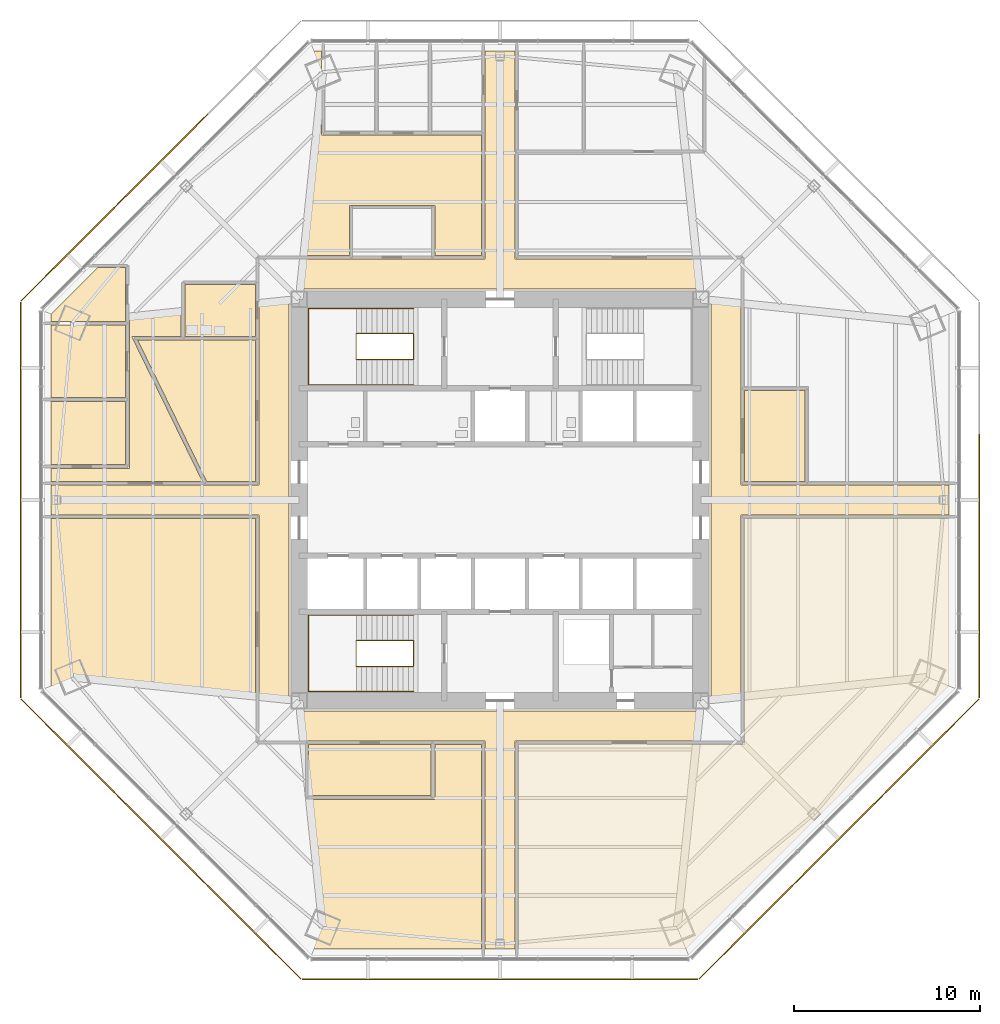
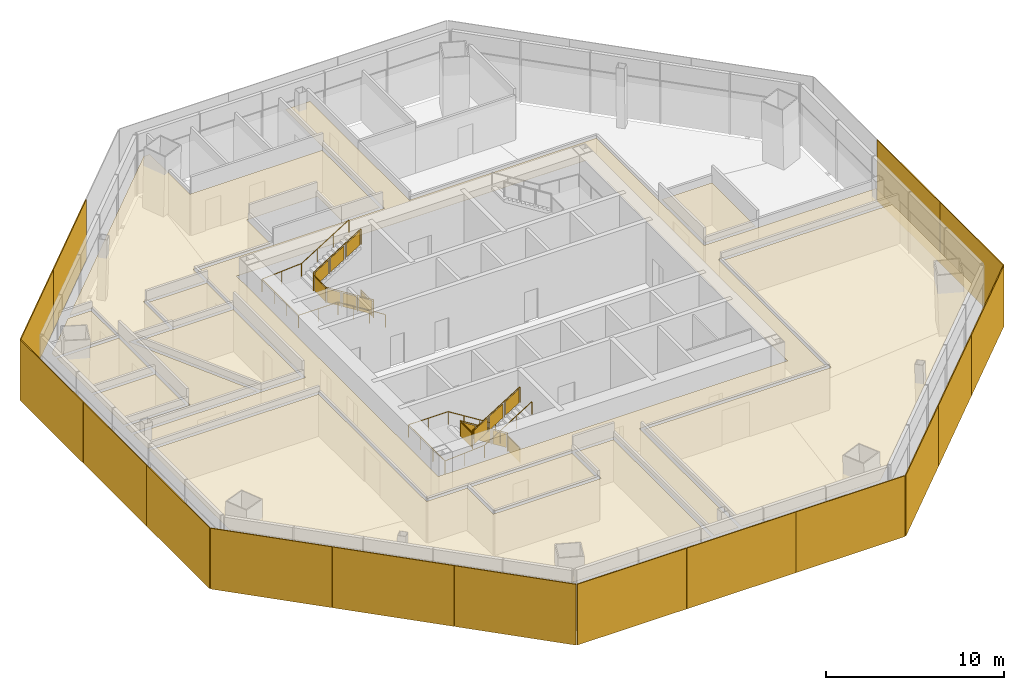
# One storey, part 12 of 14: 16 shading devices, 11 coverings, 4 railings.
"""IFC4 building model written with IfcOpenShell, lengths in metres."""

from ifc_helpers import new_model, si_unit, direction, frame, origin, origin_2d, place, context, subcontext, project, spatial, polyline, rectangle, circle, outline, extrude, source, transform, mapped, material, layer, layer_set, type_object, type_shapes, element, save


model = new_model("IFC4")

# Units and contexts
model_context = context("Model", 3, precision=1e-05, world=origin(), true_north=direction((0.0, 1.0)))
body_context = subcontext(model_context, "Body", "Model", "MODEL_VIEW")
ifc_project = project(units=[si_unit("LENGTHUNIT", "METRE"), si_unit("AREAUNIT", "SQUARE_METRE"), si_unit("VOLUMEUNIT", "CUBIC_METRE"), si_unit("PLANEANGLEUNIT", "RADIAN"), si_unit("MASSUNIT", "GRAM", prefix="KILO")], contexts=[model_context])

# Site, building, storey
site_placement = place(None, origin())
site = spatial("IfcSite", under=ifc_project, at=site_placement, CompositionType="ELEMENT")
building_placement = place(site_placement, origin())
building = spatial("IfcBuilding", under=site, at=building_placement, Name="Mashrafa Tower", CompositionType="ELEMENT")
storey_placement = place(building_placement, frame((0.0, 0.0, 117.60009765625)))
storey = spatial("IfcBuildingStorey", under=building, at=storey_placement, Name="L26", CompositionType="ELEMENT", Elevation=117.60009765625)

# Railings
ifc_material_1 = material(Name="Steel guard with glass infill", Category="steel")
railing_type_1 = type_object("IfcRailingType", Name="Stair guard 1100", PredefinedType="GUARDRAIL", material=ifc_material_1)
railing_1_placement = place(storey_placement, frame((-4.64990234375, 8.949951171875, 0.0)))
element("IfcRailing", 1, at=railing_1_placement, inside=storey, type_object=railing_type_1, Name="Stair S1 guard L26", PredefinedType="GUARDRAIL", context=body_context, shape_type="SweptSolid", body=[
    extrude(circle(Radius=0.02392578125, at=origin_2d()), frame((0.0, 0.0, 1.076171875), z_axis=(0.0, -1.0, 0.0), x_axis=(1.0, 0.0, 0.0)), (0.0, 0.0, 1.0), 1.39990234375),
    extrude(circle(Radius=0.02392578125, at=origin_2d()), frame((0.0, -1.39990234375, 1.076171875), z_axis=(0.0, 0.0, 1.0), x_axis=(1.0, 0.0, 0.0)), (0.0, 0.0, 1.0), 0.1748046875),
    extrude(circle(Radius=0.02392578125, at=origin_2d()), frame((0.0, -1.39990234375, 1.2509765625), z_axis=(-0.847998304005, 0.0, 0.529998940003), x_axis=(0.0, -1.0, 0.0)), (0.0, 0.0, 1.0), 3.632080078125),
    extrude(circle(Radius=0.02392578125, at=origin_2d()), frame((-3.080078125, -1.39990234375, 3.17578125), z_axis=(0.0, 1.0, 0.0), x_axis=(-1.0, 0.0, 0.0)), (0.0, 0.0, 1.0), 1.39990234375),
    extrude(circle(Radius=0.02392578125, at=origin_2d()), frame((-3.080078125, 0.0, 3.17578125), z_axis=(0.0, 0.0, 1.0), x_axis=(1.0, 0.0, 0.0)), (0.0, 0.0, 1.0), 0.175048828125),
    extrude(circle(Radius=0.02392578125, at=origin_2d()), frame((-3.080078125, 0.0, 3.35107421875), z_axis=(0.847998304005, 0.0, 0.529998940003), x_axis=(0.0, 1.0, 0.0)), (0.0, 0.0, 1.0), 3.632080078125),
    extrude(circle(Radius=0.02099609375, at=origin_2d()), origin(), (0.0, 0.0, 1.0), 1.052001953125),
    extrude(circle(Radius=0.02099609375, at=origin_2d()), frame((0.0, -1.39990234375, 0.0)), (0.0, 0.0, 1.0), 1.052001953125),
    extrude(circle(Radius=0.02099609375, at=origin_2d()), frame((0.0, -1.39990234375, 0.1748046875)), (0.0, 0.0, 1.0), 1.052001953125),
    extrude(circle(Radius=0.02099609375, at=origin_2d()), frame((-1.026611328125, -1.39990234375, 0.81640625)), (0.0, 0.0, 1.0), 1.052001953125),
    extrude(circle(Radius=0.02099609375, at=origin_2d()), frame((-2.053466796875, -1.39990234375, 1.458251953125)), (0.0, 0.0, 1.0), 1.052001953125),
    extrude(circle(Radius=0.02099609375, at=origin_2d()), frame((-3.080078125, -1.39990234375, 2.099853515625)), (0.0, 0.0, 1.0), 1.052001953125),
    extrude(circle(Radius=0.02099609375, at=origin_2d()), frame((-3.080078125, 0.0, 2.099853515625)), (0.0, 0.0, 1.0), 1.052001953125),
    extrude(circle(Radius=0.02099609375, at=origin_2d()), frame((-3.080078125, 0.0, 2.27490234375)), (0.0, 0.0, 1.0), 1.052001953125),
    extrude(circle(Radius=0.02099609375, at=origin_2d()), frame((-2.053466796875, 0.0, 2.91650390625)), (0.0, 0.0, 1.0), 1.052001953125),
    extrude(circle(Radius=0.02099609375, at=origin_2d()), frame((-1.026611328125, 0.0, 3.558349609375)), (0.0, 0.0, 1.0), 1.052001953125),
    extrude(circle(Radius=0.02099609375, at=origin_2d()), frame((0.0, 0.0, 4.199951171875)), (0.0, 0.0, 1.0), 1.052001953125),
    extrude(outline(polyline([(0.071044921875, 0.050048828125), (1.328857421875, 0.050048828125), (1.328857421875, 1.001953125), (0.071044921875, 1.001953125), (0.071044921875, 0.050048828125)])), frame((-0.006103515625, 0.0, 0.0), z_axis=(-1.0, 0.0, 0.0), x_axis=(0.0, -1.0, 0.0)), (0.0, 0.0, 1.0), 0.011962890625),
    extrude(outline(polyline([(0.071044921875, 0.094482421875), (0.955810546875, 0.647216796875), (0.955810546875, 1.599365234375), (0.071044921875, 1.04638671875), (0.071044921875, 0.094482421875)])), frame((0.0, -1.393798828125, 0.1748046875), z_axis=(0.0, 1.0, 0.0), x_axis=(-1.0, 0.0, 0.0)), (0.0, 0.0, 1.0), 0.011962890625),
    extrude(outline(polyline([(1.09765625, 0.736083984375), (1.982421875, 1.2890625), (1.982421875, 2.240966796875), (1.09765625, 1.68798828125), (1.09765625, 0.736083984375)])), frame((0.0, -1.393798828125, 0.1748046875), z_axis=(0.0, 1.0, 0.0), x_axis=(-1.0, 0.0, 0.0)), (0.0, 0.0, 1.0), 0.011962890625),
    extrude(outline(polyline([(2.124267578125, 1.377685546875), (3.009033203125, 1.9306640625), (3.009033203125, 2.882568359375), (2.124267578125, 2.329833984375), (2.124267578125, 1.377685546875)])), frame((0.0, -1.393798828125, 0.1748046875), z_axis=(0.0, 1.0, 0.0), x_axis=(-1.0, 0.0, 0.0)), (0.0, 0.0, 1.0), 0.011962890625),
    extrude(outline(polyline([(0.071044921875, 0.050048828125), (1.328857421875, 0.050048828125), (1.328857421875, 1.001953125), (0.071044921875, 1.001953125), (0.071044921875, 0.050048828125)])), frame((-3.073974609375, -1.39990234375, 2.099853515625), z_axis=(1.0, 0.0, 0.0), x_axis=(0.0, 1.0, 0.0)), (0.0, 0.0, 1.0), 0.011962890625),
    extrude(outline(polyline([(0.071044921875, 0.094482421875), (0.955810546875, 0.647216796875), (0.955810546875, 1.599365234375), (0.071044921875, 1.04638671875), (0.071044921875, 0.094482421875)])), frame((-3.080078125, -0.006103515625, 2.27490234375), z_axis=(0.0, -1.0, 0.0), x_axis=(1.0, 0.0, 0.0)), (0.0, 0.0, 1.0), 0.011962890625),
    extrude(outline(polyline([(1.09765625, 0.736083984375), (1.982421875, 1.2890625), (1.982421875, 2.240966796875), (1.09765625, 1.68798828125), (1.09765625, 0.736083984375)])), frame((-3.080078125, -0.006103515625, 2.27490234375), z_axis=(0.0, -1.0, 0.0), x_axis=(1.0, 0.0, 0.0)), (0.0, 0.0, 1.0), 0.011962890625),
    extrude(outline(polyline([(2.124267578125, 1.377685546875), (3.009033203125, 1.9306640625), (3.009033203125, 2.882568359375), (2.124267578125, 2.329833984375), (2.124267578125, 1.377685546875)])), frame((-3.080078125, -0.006103515625, 2.27490234375), z_axis=(0.0, -1.0, 0.0), x_axis=(1.0, 0.0, 0.0)), (0.0, 0.0, 1.0), 0.011962890625),
])
railing_2_placement = place(storey_placement, frame((-4.64990234375, -8.949951171875, 0.0)))
element("IfcRailing", 2, at=railing_2_placement, inside=storey, type_object=railing_type_1, Name="Stair S3 guard L26", PredefinedType="GUARDRAIL", context=body_context, shape_type="SweptSolid", body=[
    extrude(circle(Radius=0.02392578125, at=origin_2d()), frame((0.0, 0.0, 1.076171875), z_axis=(0.0, 1.0, 0.0), x_axis=(-1.0, 0.0, 0.0)), (0.0, 0.0, 1.0), 1.39990234375),
    extrude(circle(Radius=0.02392578125, at=origin_2d()), frame((0.0, 1.39990234375, 1.076171875), z_axis=(0.0, 0.0, 1.0), x_axis=(1.0, 0.0, 0.0)), (0.0, 0.0, 1.0), 0.1748046875),
    extrude(circle(Radius=0.02392578125, at=origin_2d()), frame((0.0, 1.39990234375, 1.2509765625), z_axis=(-0.847998304005, 0.0, 0.529998940003), x_axis=(0.0, -1.0, 0.0)), (0.0, 0.0, 1.0), 3.632080078125),
    extrude(circle(Radius=0.02392578125, at=origin_2d()), frame((-3.080078125, 1.39990234375, 3.17578125), z_axis=(0.0, -1.0, 0.0), x_axis=(1.0, 0.0, 0.0)), (0.0, 0.0, 1.0), 1.39990234375),
    extrude(circle(Radius=0.02392578125, at=origin_2d()), frame((-3.080078125, 0.0, 3.17578125), z_axis=(0.0, 0.0, 1.0), x_axis=(1.0, 0.0, 0.0)), (0.0, 0.0, 1.0), 0.175048828125),
    extrude(circle(Radius=0.02392578125, at=origin_2d()), frame((-3.080078125, 0.0, 3.35107421875), z_axis=(0.847998304005, 0.0, 0.529998940003), x_axis=(0.0, 1.0, 0.0)), (0.0, 0.0, 1.0), 3.632080078125),
    extrude(circle(Radius=0.02099609375, at=origin_2d()), origin(), (0.0, 0.0, 1.0), 1.052001953125),
    extrude(circle(Radius=0.02099609375, at=origin_2d()), frame((0.0, 1.39990234375, 0.0)), (0.0, 0.0, 1.0), 1.052001953125),
    extrude(circle(Radius=0.02099609375, at=origin_2d()), frame((0.0, 1.39990234375, 0.1748046875)), (0.0, 0.0, 1.0), 1.052001953125),
    extrude(circle(Radius=0.02099609375, at=origin_2d()), frame((-1.026611328125, 1.39990234375, 0.81640625)), (0.0, 0.0, 1.0), 1.052001953125),
    extrude(circle(Radius=0.02099609375, at=origin_2d()), frame((-2.053466796875, 1.39990234375, 1.458251953125)), (0.0, 0.0, 1.0), 1.052001953125),
    extrude(circle(Radius=0.02099609375, at=origin_2d()), frame((-3.080078125, 1.39990234375, 2.099853515625)), (0.0, 0.0, 1.0), 1.052001953125),
    extrude(circle(Radius=0.02099609375, at=origin_2d()), frame((-3.080078125, 0.0, 2.099853515625)), (0.0, 0.0, 1.0), 1.052001953125),
    extrude(circle(Radius=0.02099609375, at=origin_2d()), frame((-3.080078125, 0.0, 2.27490234375)), (0.0, 0.0, 1.0), 1.052001953125),
    extrude(circle(Radius=0.02099609375, at=origin_2d()), frame((-2.053466796875, 0.0, 2.91650390625)), (0.0, 0.0, 1.0), 1.052001953125),
    extrude(circle(Radius=0.02099609375, at=origin_2d()), frame((-1.026611328125, 0.0, 3.558349609375)), (0.0, 0.0, 1.0), 1.052001953125),
    extrude(circle(Radius=0.02099609375, at=origin_2d()), frame((0.0, 0.0, 4.199951171875)), (0.0, 0.0, 1.0), 1.052001953125),
    extrude(outline(polyline([(0.071044921875, 0.050048828125), (1.328857421875, 0.050048828125), (1.328857421875, 1.001953125), (0.071044921875, 1.001953125), (0.071044921875, 0.050048828125)])), frame((0.006103515625, 0.0, 0.0), z_axis=(1.0, 0.0, 0.0), x_axis=(0.0, 1.0, 0.0)), (0.0, 0.0, 1.0), 0.011962890625),
    extrude(outline(polyline([(0.071044921875, 0.094482421875), (0.955810546875, 0.647216796875), (0.955810546875, 1.599365234375), (0.071044921875, 1.04638671875), (0.071044921875, 0.094482421875)])), frame((0.0, 1.406005859375, 0.1748046875), z_axis=(0.0, 1.0, 0.0), x_axis=(-1.0, 0.0, 0.0)), (0.0, 0.0, 1.0), 0.011962890625),
    extrude(outline(polyline([(1.09765625, 0.736083984375), (1.982421875, 1.2890625), (1.982421875, 2.240966796875), (1.09765625, 1.68798828125), (1.09765625, 0.736083984375)])), frame((0.0, 1.406005859375, 0.1748046875), z_axis=(0.0, 1.0, 0.0), x_axis=(-1.0, 0.0, 0.0)), (0.0, 0.0, 1.0), 0.011962890625),
    extrude(outline(polyline([(2.124267578125, 1.377685546875), (3.009033203125, 1.9306640625), (3.009033203125, 2.882568359375), (2.124267578125, 2.329833984375), (2.124267578125, 1.377685546875)])), frame((0.0, 1.406005859375, 0.1748046875), z_axis=(0.0, 1.0, 0.0), x_axis=(-1.0, 0.0, 0.0)), (0.0, 0.0, 1.0), 0.011962890625),
    extrude(outline(polyline([(0.071044921875, 0.050048828125), (1.328857421875, 0.050048828125), (1.328857421875, 1.001953125), (0.071044921875, 1.001953125), (0.071044921875, 0.050048828125)])), frame((-3.086181640625, 1.39990234375, 2.099853515625), z_axis=(-1.0, 0.0, 0.0), x_axis=(0.0, -1.0, 0.0)), (0.0, 0.0, 1.0), 0.011962890625),
    extrude(outline(polyline([(0.071044921875, 0.094482421875), (0.955810546875, 0.647216796875), (0.955810546875, 1.599365234375), (0.071044921875, 1.04638671875), (0.071044921875, 0.094482421875)])), frame((-3.080078125, -0.006103515625, 2.27490234375), z_axis=(0.0, -1.0, 0.0), x_axis=(1.0, 0.0, 0.0)), (0.0, 0.0, 1.0), 0.011962890625),
    extrude(outline(polyline([(1.09765625, 0.736083984375), (1.982421875, 1.2890625), (1.982421875, 2.240966796875), (1.09765625, 1.68798828125), (1.09765625, 0.736083984375)])), frame((-3.080078125, -0.006103515625, 2.27490234375), z_axis=(0.0, -1.0, 0.0), x_axis=(1.0, 0.0, 0.0)), (0.0, 0.0, 1.0), 0.011962890625),
    extrude(outline(polyline([(2.124267578125, 1.377685546875), (3.009033203125, 1.9306640625), (3.009033203125, 2.882568359375), (2.124267578125, 2.329833984375), (2.124267578125, 1.377685546875)])), frame((-3.080078125, -0.006103515625, 2.27490234375), z_axis=(0.0, -1.0, 0.0), x_axis=(1.0, 0.0, 0.0)), (0.0, 0.0, 1.0), 0.011962890625),
])
ifc_material_2 = material(Name="Steel", Category="steel")
railing_type_2 = type_object("IfcRailingType", Name="Stair handrail 900", PredefinedType="HANDRAIL", material=ifc_material_2)
railing_3_placement = place(storey_placement, frame((-4.64990234375, 6.199951171875, 0.1748046875)))
element("IfcRailing", 3, at=railing_3_placement, inside=storey, type_object=railing_type_2, Name="Stair S1 handrail L26", PredefinedType="HANDRAIL", context=body_context, shape_type="SweptSolid", body=[
    extrude(circle(Radius=0.02392578125, at=origin_2d()), frame((0.0, 0.0, 0.8759765625), z_axis=(-0.847998304005, 0.0, 0.529998940003), x_axis=(0.0, -1.0, 0.0)), (0.0, 0.0, 1.0), 3.632080078125),
    extrude(circle(Radius=0.02392578125, at=origin_2d()), frame((-3.080078125, 0.0, 2.80078125), z_axis=(-1.0, 0.0, 0.0), x_axis=(0.0, -1.0, 0.0)), (0.0, 0.0, 1.0), 2.570068359375),
    extrude(circle(Radius=0.02392578125, at=origin_2d()), frame((-5.650146484375, 0.0, 2.80078125), z_axis=(0.0, 1.0, 0.0), x_axis=(-1.0, 0.0, 0.0)), (0.0, 0.0, 1.0), 4.10009765625),
    extrude(circle(Radius=0.02392578125, at=origin_2d()), frame((-5.650146484375, 4.10009765625, 2.80078125), z_axis=(0.997688514158, 0.0, 0.067953136188), x_axis=(0.0, 1.0, 0.0)), (0.0, 0.0, 1.0), 2.575927734375),
    extrude(circle(Radius=0.02392578125, at=origin_2d()), frame((-3.080078125, 4.10009765625, 2.97607421875), z_axis=(0.847998304005, 0.0, 0.529998940003), x_axis=(0.0, 1.0, 0.0)), (0.0, 0.0, 1.0), 3.632080078125),
    extrude(circle(Radius=0.02099609375, at=origin_2d()), origin(), (0.0, 0.0, 1.0), 0.851806640625),
    extrude(circle(Radius=0.02099609375, at=origin_2d()), frame((-1.026611328125, 0.0, 0.6416015625)), (0.0, 0.0, 1.0), 0.851806640625),
    extrude(circle(Radius=0.02099609375, at=origin_2d()), frame((-2.053466796875, 0.0, 1.283447265625)), (0.0, 0.0, 1.0), 0.851806640625),
    extrude(circle(Radius=0.02099609375, at=origin_2d()), frame((-3.080078125, 0.0, 1.925048828125)), (0.0, 0.0, 1.0), 0.851806640625),
    extrude(circle(Radius=0.02099609375, at=origin_2d()), frame((-4.365234375, 0.0, 1.925048828125)), (0.0, 0.0, 1.0), 0.851806640625),
    extrude(circle(Radius=0.02099609375, at=origin_2d()), frame((-5.650146484375, 0.0, 1.925048828125)), (0.0, 0.0, 1.0), 0.851806640625),
    extrude(circle(Radius=0.02099609375, at=origin_2d()), frame((-5.650146484375, 1.36669921875, 1.925048828125)), (0.0, 0.0, 1.0), 0.851806640625),
    extrude(circle(Radius=0.02099609375, at=origin_2d()), frame((-5.650146484375, 2.7333984375, 1.925048828125)), (0.0, 0.0, 1.0), 0.851806640625),
    extrude(circle(Radius=0.02099609375, at=origin_2d()), frame((-5.650146484375, 4.10009765625, 1.925048828125)), (0.0, 0.0, 1.0), 0.851806640625),
    extrude(circle(Radius=0.02099609375, at=origin_2d()), frame((-4.365234375, 4.10009765625, 2.0126953125)), (0.0, 0.0, 1.0), 0.851806640625),
    extrude(circle(Radius=0.02099609375, at=origin_2d()), frame((-3.080078125, 4.10009765625, 2.10009765625)), (0.0, 0.0, 1.0), 0.851806640625),
    extrude(circle(Radius=0.02099609375, at=origin_2d()), frame((-2.053466796875, 4.10009765625, 2.74169921875)), (0.0, 0.0, 1.0), 0.851806640625),
    extrude(circle(Radius=0.02099609375, at=origin_2d()), frame((-1.026611328125, 4.10009765625, 3.383544921875)), (0.0, 0.0, 1.0), 0.851806640625),
    extrude(circle(Radius=0.02099609375, at=origin_2d()), frame((0.0, 4.10009765625, 4.025146484375)), (0.0, 0.0, 1.0), 0.851806640625),
])
railing_4_placement = place(storey_placement, frame((-4.64990234375, -6.199951171875, 0.1748046875)))
element("IfcRailing", 4, at=railing_4_placement, inside=storey, type_object=railing_type_2, Name="Stair S3 handrail L26", PredefinedType="HANDRAIL", context=body_context, shape_type="SweptSolid", body=[
    extrude(circle(Radius=0.02392578125, at=origin_2d()), frame((0.0, 0.0, 0.8759765625), z_axis=(-0.847998304005, 0.0, 0.529998940003), x_axis=(0.0, -1.0, 0.0)), (0.0, 0.0, 1.0), 3.632080078125),
    extrude(circle(Radius=0.02392578125, at=origin_2d()), frame((-3.080078125, 0.0, 2.80078125), z_axis=(-1.0, 0.0, 0.0), x_axis=(0.0, -1.0, 0.0)), (0.0, 0.0, 1.0), 2.570068359375),
    extrude(circle(Radius=0.02392578125, at=origin_2d()), frame((-5.650146484375, 0.0, 2.80078125), z_axis=(0.0, -1.0, 0.0), x_axis=(1.0, 0.0, 0.0)), (0.0, 0.0, 1.0), 4.10009765625),
    extrude(circle(Radius=0.02392578125, at=origin_2d()), frame((-5.650146484375, -4.10009765625, 2.80078125), z_axis=(0.997688514158, 0.0, 0.067953136188), x_axis=(0.0, 1.0, 0.0)), (0.0, 0.0, 1.0), 2.575927734375),
    extrude(circle(Radius=0.02392578125, at=origin_2d()), frame((-3.080078125, -4.10009765625, 2.97607421875), z_axis=(0.847998304005, 0.0, 0.529998940003), x_axis=(0.0, 1.0, 0.0)), (0.0, 0.0, 1.0), 3.632080078125),
    extrude(circle(Radius=0.02099609375, at=origin_2d()), origin(), (0.0, 0.0, 1.0), 0.851806640625),
    extrude(circle(Radius=0.02099609375, at=origin_2d()), frame((-1.026611328125, 0.0, 0.6416015625)), (0.0, 0.0, 1.0), 0.851806640625),
    extrude(circle(Radius=0.02099609375, at=origin_2d()), frame((-2.053466796875, 0.0, 1.283447265625)), (0.0, 0.0, 1.0), 0.851806640625),
    extrude(circle(Radius=0.02099609375, at=origin_2d()), frame((-3.080078125, 0.0, 1.925048828125)), (0.0, 0.0, 1.0), 0.851806640625),
    extrude(circle(Radius=0.02099609375, at=origin_2d()), frame((-4.365234375, 0.0, 1.925048828125)), (0.0, 0.0, 1.0), 0.851806640625),
    extrude(circle(Radius=0.02099609375, at=origin_2d()), frame((-5.650146484375, 0.0, 1.925048828125)), (0.0, 0.0, 1.0), 0.851806640625),
    extrude(circle(Radius=0.02099609375, at=origin_2d()), frame((-5.650146484375, -1.36669921875, 1.925048828125)), (0.0, 0.0, 1.0), 0.851806640625),
    extrude(circle(Radius=0.02099609375, at=origin_2d()), frame((-5.650146484375, -2.7333984375, 1.925048828125)), (0.0, 0.0, 1.0), 0.851806640625),
    extrude(circle(Radius=0.02099609375, at=origin_2d()), frame((-5.650146484375, -4.10009765625, 1.925048828125)), (0.0, 0.0, 1.0), 0.851806640625),
    extrude(circle(Radius=0.02099609375, at=origin_2d()), frame((-4.365234375, -4.10009765625, 2.0126953125)), (0.0, 0.0, 1.0), 0.851806640625),
    extrude(circle(Radius=0.02099609375, at=origin_2d()), frame((-3.080078125, -4.10009765625, 2.10009765625)), (0.0, 0.0, 1.0), 0.851806640625),
    extrude(circle(Radius=0.02099609375, at=origin_2d()), frame((-2.053466796875, -4.10009765625, 2.74169921875)), (0.0, 0.0, 1.0), 0.851806640625),
    extrude(circle(Radius=0.02099609375, at=origin_2d()), frame((-1.026611328125, -4.10009765625, 3.383544921875)), (0.0, 0.0, 1.0), 0.851806640625),
    extrude(circle(Radius=0.02099609375, at=origin_2d()), frame((0.0, -4.10009765625, 4.025146484375)), (0.0, 0.0, 1.0), 0.851806640625),
])

# Coverings
ifc_material_3 = material(Name="Mineral fibre tile on suspension grid")
ifc_layer_1 = layer(ifc_material_3, 0.014892578125)
ifc_layer_set_1 = layer_set([ifc_layer_1], Name="Suspended ceiling mineral tile 15")
covering_type = type_object("IfcCoveringType", Name="Suspended ceiling mineral tile 15", PredefinedType="CEILING", material=ifc_layer_set_1)
covering_1_placement = place(storey_placement, frame((0.0, 0.0, 2.89990234375)))
element("IfcCovering", 5, at=covering_1_placement, inside=storey, type_object=covering_type, Name="Ceiling Office Corridor L26", PredefinedType="CEILING", context=body_context, shape_type="SweptSolid", body=[
    extrude(outline(polyline([(-12.949951171875, -12.949951171875), (-12.949951171875, -0.800048828125), (-24.137939453125, -0.800048828125), (-24.137939453125, 0.800048828125), (-12.949951171875, 0.800048828125), (-12.949951171875, 12.949951171875), (-0.800048828125, 12.949951171875), (-0.800048828125, 24.137939453125), (0.800048828125, 24.137939453125), (0.800048828125, 12.949951171875), (12.949951171875, 12.949951171875), (12.949951171875, 0.800048828125), (24.137939453125, 0.800048828125), (24.137939453125, -0.800048828125), (12.949951171875, -0.800048828125), (12.949951171875, -12.949951171875), (0.800048828125, -12.949951171875), (0.800048828125, -24.137939453125), (-0.800048828125, -24.137939453125), (-0.800048828125, -12.949951171875), (-12.949951171875, -12.949951171875)]), holes=[polyline([(11.35009765625, 11.35009765625), (-11.35009765625, 11.35009765625), (-11.35009765625, -11.35009765625), (11.35009765625, -11.35009765625), (11.35009765625, 11.35009765625)])]), origin(), (0.0, 0.0, 1.0), 0.014892578125),
])
covering_2_placement = place(storey_placement, frame((0.0, 0.0, 2.89990234375)))
element("IfcCovering", 6, at=covering_2_placement, inside=storey, type_object=covering_type, Name="Ceiling Musallah Prayer Room 26", PredefinedType="CEILING", context=body_context, shape_type="SweptSolid", body=[
    extrude(outline(polyline([(-15.783203125, 1.0), (-19.489990234375, 8.60009765625), (-13.14990234375, 8.60009765625), (-13.14990234375, 1.0), (-15.783203125, 1.0)])), origin(), (0.0, 0.0, 1.0), 0.014892578125),
])
covering_3_placement = place(storey_placement, frame((0.0, 0.0, 2.89990234375)))
element("IfcCovering", 7, at=covering_3_placement, inside=storey, type_object=covering_type, Name="Ceiling Ablution Room L26", PredefinedType="CEILING", context=body_context, shape_type="SweptSolid", body=[
    extrude(outline(polyline([(-16.949951171875, 8.800048828125), (-16.949951171875, 11.60009765625), (-13.14990234375, 11.60009765625), (-13.14990234375, 8.800048828125), (-16.949951171875, 8.800048828125)])), origin(), (0.0, 0.0, 1.0), 0.014892578125),
])
covering_4_placement = place(storey_placement, frame((0.0, 0.0, 2.89990234375)))
element("IfcCovering", 8, at=covering_4_placement, inside=storey, type_object=covering_type, Name="Ceiling Reception Majlis 26", PredefinedType="CEILING", context=body_context, shape_type="SweptSolid", body=[
    extrude(outline(polyline([(13.14990234375, 5.89990234375), (16.39990234375, 5.89990234375), (16.39990234375, 1.0), (13.14990234375, 1.0), (13.14990234375, 5.89990234375)])), origin(), (0.0, 0.0, 1.0), 0.014892578125),
])
covering_5_placement = place(storey_placement, frame((0.0, 0.0, 2.89990234375)))
element("IfcCovering", 9, at=covering_5_placement, inside=storey, type_object=covering_type, Name="Ceiling Records Office 26", PredefinedType="CEILING", context=body_context, shape_type="SweptSolid", body=[
    extrude(outline(polyline([(-10.300048828125, -13.14990234375), (-3.699951171875, -13.14990234375), (-3.699951171875, -15.89990234375), (-10.300048828125, -15.89990234375), (-10.300048828125, -13.14990234375)])), origin(), (0.0, 0.0, 1.0), 0.014892578125),
])
covering_6_placement = place(storey_placement, frame((0.0, 0.0, 2.89990234375)))
element("IfcCovering", 10, at=covering_6_placement, inside=storey, type_object=covering_type, Name="Ceiling Case Officer's Office 26-NW-1", PredefinedType="CEILING", context=body_context, shape_type="SweptSolid", body=[
    extrude(outline(polyline([(-20.137939453125, 12.5), (-20.137939453125, 9.60595703125), (-24.137939453125, 9.60595703125), (-24.137939453125, 9.998291015625), (-21.63623046875, 12.5), (-20.137939453125, 12.5)])), origin(), (0.0, 0.0, 1.0), 0.014892578125),
])
covering_7_placement = place(storey_placement, frame((0.0, 0.0, 2.89990234375)))
element("IfcCovering", 11, at=covering_7_placement, inside=storey, type_object=covering_type, Name="Ceiling Case Officer's Office 26-NW-2", PredefinedType="CEILING", context=body_context, shape_type="SweptSolid", body=[
    extrude(outline(polyline([(-20.137939453125, 9.406005859375), (-20.137939453125, 5.5), (-24.137939453125, 5.5), (-24.137939453125, 9.406005859375), (-20.137939453125, 9.406005859375)])), origin(), (0.0, 0.0, 1.0), 0.014892578125),
])
covering_8_placement = place(storey_placement, frame((0.0, 0.0, 2.89990234375)))
element("IfcCovering", 12, at=covering_8_placement, inside=storey, type_object=covering_type, Name="Ceiling Case Officer's Office 26-NW-3", PredefinedType="CEILING", context=body_context, shape_type="SweptSolid", body=[
    extrude(outline(polyline([(-20.137939453125, 5.300048828125), (-20.137939453125, 1.89990234375), (-24.137939453125, 1.89990234375), (-24.137939453125, 5.300048828125), (-20.137939453125, 5.300048828125)])), origin(), (0.0, 0.0, 1.0), 0.014892578125),
])
covering_9_placement = place(storey_placement, frame((0.0, 0.0, 2.89990234375)))
element("IfcCovering", 13, at=covering_9_placement, inside=storey, type_object=covering_type, Name="Ceiling Policy and Programmes Office 26-NW", PredefinedType="CEILING", context=body_context, shape_type="SweptSolid", body=[
    extrude(outline(polyline([(-24.137939453125, 1.0), (-24.137939453125, 1.699951171875), (-19.93798828125, 1.699951171875), (-19.93798828125, 12.699951171875), (-21.436279296875, 12.699951171875), (-9.998291015625, 24.137939453125), (-9.60595703125, 24.137939453125), (-9.60595703125, 19.637939453125), (-1.0, 19.637939453125), (-1.0, 13.14990234375), (-3.5, 13.14990234375), (-3.5, 15.85009765625), (-8.10009765625, 15.85009765625), (-8.10009765625, 13.14990234375), (-13.14990234375, 13.14990234375), (-13.14990234375, 11.800048828125), (-17.14990234375, 11.800048828125), (-17.14990234375, 8.800048828125), (-19.81005859375, 8.800048828125), (-16.005615234375, 1.0), (-24.137939453125, 1.0)])), origin(), (0.0, 0.0, 1.0), 0.014892578125),
])
covering_10_placement = place(storey_placement, frame((0.0, 0.0, 2.89990234375)))
element("IfcCovering", 14, at=covering_10_placement, inside=storey, type_object=covering_type, Name="Ceiling Licensing Office 26-SW", PredefinedType="CEILING", context=body_context, shape_type="SweptSolid", body=[
    extrude(outline(polyline([(-1.0, -24.137939453125), (-9.998291015625, -24.137939453125), (-24.137939453125, -9.998291015625), (-24.137939453125, -1.0), (-13.14990234375, -1.0), (-13.14990234375, -13.14990234375), (-10.5, -13.14990234375), (-10.5, -16.10009765625), (-3.5, -16.10009765625), (-3.5, -13.14990234375), (-1.0, -13.14990234375), (-1.0, -24.137939453125)])), origin(), (0.0, 0.0, 1.0), 0.014892578125),
])
covering_11_placement = place(storey_placement, frame((0.0, 0.0, 2.89990234375)))
element("IfcCovering", 15, at=covering_11_placement, inside=storey, type_object=covering_type, Name="Ceiling Programme Delivery Office 26-SE", PredefinedType="CEILING", context=body_context, shape_type="SweptSolid", body=[
    extrude(outline(polyline([(24.137939453125, -1.0), (24.137939453125, -9.998291015625), (9.998291015625, -24.137939453125), (1.0, -24.137939453125), (1.0, -13.14990234375), (13.14990234375, -13.14990234375), (13.14990234375, -1.0), (24.137939453125, -1.0)])), origin(), (0.0, 0.0, 1.0), 0.014892578125),
])

# Shading devices
ifc_material_4 = material(Name="Perforated aluminium plate, eight-point star pattern", Category="aluminium")
ifc_layer_2 = layer(ifc_material_4, 0.06005859375)
ifc_layer_set_2 = layer_set([ifc_layer_2], Name="Mashrabiya screen panel office zone 2, 40 percent open")
shading_device_type = type_object("IfcShadingDeviceType", Name="Mashrabiya screen panel office zone 2, 40 percent open", PredefinedType="SHUTTER", material=ifc_layer_set_2)
shared_shape = source(origin(), body_context, "Body", "SweptSolid", [
    extrude(rectangle(XDim=7.086181640625, YDim=0.06005859375, at=origin_2d()), origin(), (0.0, 0.0, 1.0), 4.179931640625),
])
type_shapes(shading_device_type, [shared_shape])
for number, where, z_axis, x_axis, name in (
    (16, (25.7880859375, -7.106201171875, -0.14990234375), (0.0, 0.0, 1.0), (0.0, 1.0, 0.0), "Mashrabiya screen L26 east 1"),
    (17, (25.7880859375, 0.0, -0.14990234375), (0.0, 0.0, 1.0), (0.0, 1.0, 0.0), "Mashrabiya screen L26 east 2"),
    (18, (-18.23486328125, 18.23486328125, -0.14990234375), (0.0, 0.0, 1.0), (-0.707106781187, -0.707106781187, 0.0), "Mashrabiya screen L26 north-west 2"),
    (19, (-23.259765625, 13.2099609375, -0.14990234375), (0.0, 0.0, 1.0), (-0.707106781187, -0.707106781187, 0.0), "Mashrabiya screen L26 north-west 3"),
    (20, (-25.7880859375, 7.106201171875, -0.14990234375), (0.0, 0.0, 1.0), (0.0, -1.0, 0.0), "Mashrabiya screen L26 west 1"),
    (21, (-25.7880859375, 0.0, -0.14990234375), (0.0, 0.0, 1.0), (0.0, -1.0, 0.0), "Mashrabiya screen L26 west 2"),
    (22, (-25.7880859375, -7.106201171875, -0.14990234375), (0.0, 0.0, 1.0), (0.0, -1.0, 0.0), "Mashrabiya screen L26 west 3"),
    (23, (-23.259765625, -13.2099609375, -0.14990234375), (0.0, 0.0, 1.0), (0.707106781187, -0.707106781187, 0.0), "Mashrabiya screen L26 south-west 1"),
    (24, (-18.23486328125, -18.23486328125, -0.14990234375), (0.0, 0.0, 1.0), (0.707106781187, -0.707106781187, 0.0), "Mashrabiya screen L26 south-west 2"),
    (25, (-13.2099609375, -23.259765625, -0.14990234375), (0.0, 0.0, 1.0), (0.707106781187, -0.707106781187, 0.0), "Mashrabiya screen L26 south-west 3"),
    (26, (-7.106201171875, -25.7880859375, -0.14990234375), (0.0, 0.0, 1.0), (1.0, 0.0, 0.0), "Mashrabiya screen L26 south 1"),
    (27, (0.0, -25.7880859375, -0.14990234375), (0.0, 0.0, 1.0), (1.0, 0.0, 0.0), "Mashrabiya screen L26 south 2"),
    (28, (7.106201171875, -25.7880859375, -0.14990234375), (0.0, 0.0, 1.0), (1.0, 0.0, 0.0), "Mashrabiya screen L26 south 3"),
    (29, (13.2099609375, -23.259765625, -0.14990234375), (0.0, 0.0, 1.0), (0.707106781187, 0.707106781187, 0.0), "Mashrabiya screen L26 south-east 1"),
    (30, (18.23486328125, -18.23486328125, -0.14990234375), (0.0, 0.0, 1.0), (0.707106781187, 0.707106781187, 0.0), "Mashrabiya screen L26 south-east 2"),
    (31, (23.259765625, -13.2099609375, -0.14990234375), (0.0, 0.0, 1.0), (0.707106781187, 0.707106781187, 0.0), "Mashrabiya screen L26 south-east 3"),
):
    element("IfcShadingDevice", number, at=place(storey_placement, frame(where, z_axis=z_axis, x_axis=x_axis)), inside=storey, type_object=shading_device_type, Name=name, PredefinedType="SHUTTER", context=body_context, shape_type="MappedRepresentation", body=[
        mapped(shared_shape, transform((0.0, 0.0, 0.0))),
    ])

save(model, "model.ifc")
